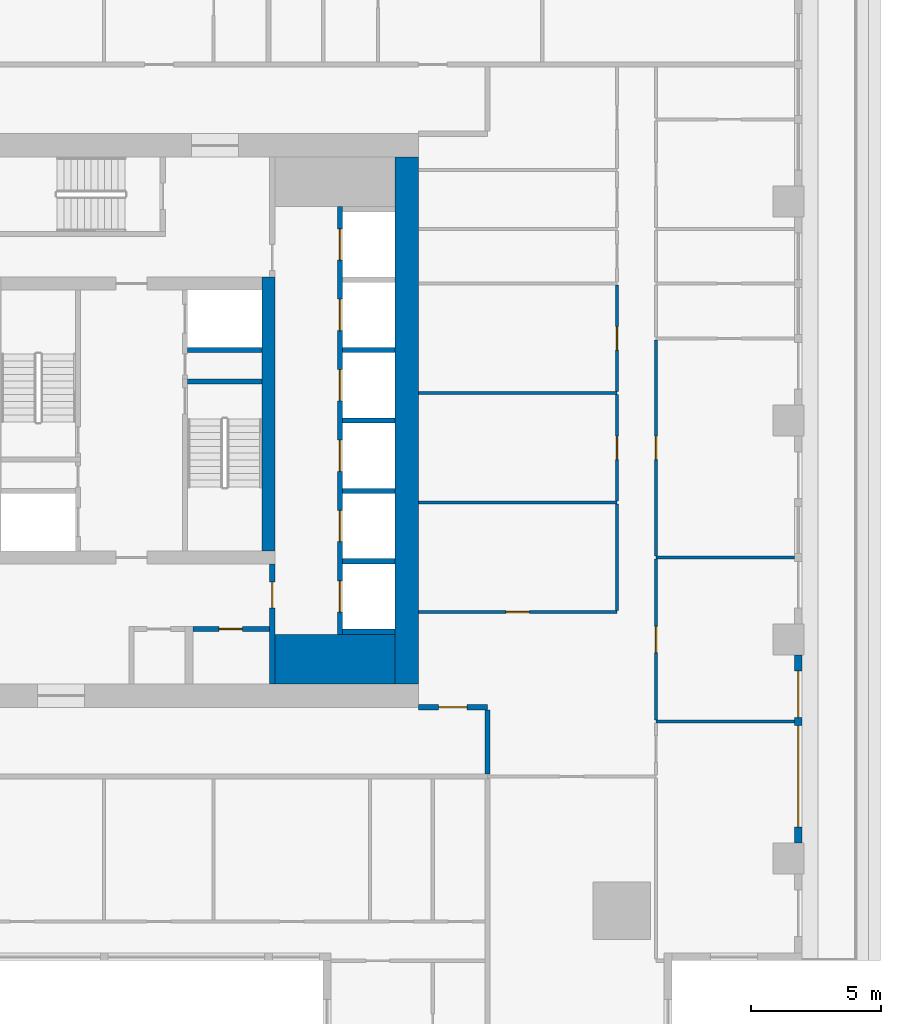
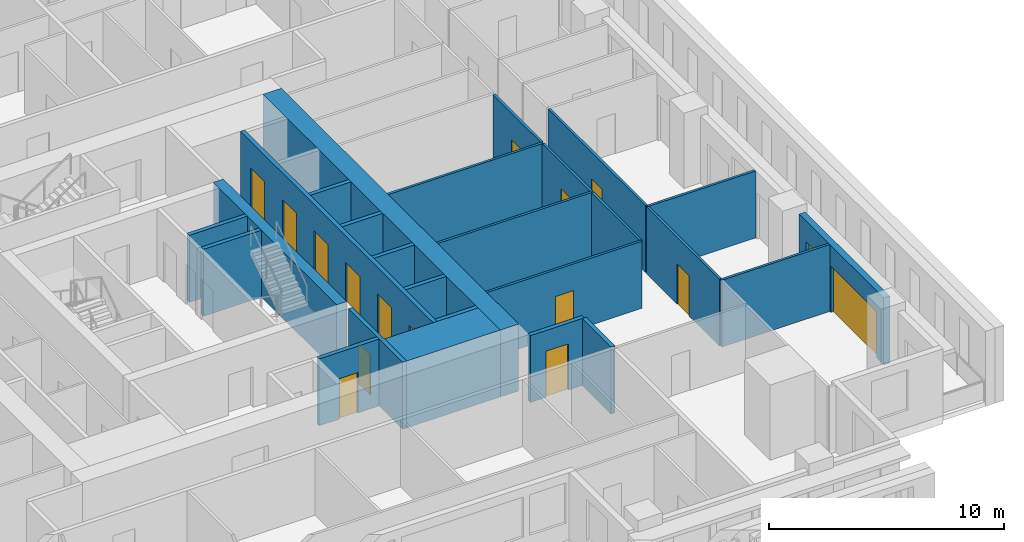
# One storey, part 5 of 15: 26 walls, 16 doors, 16 openings.
"""IFC4 building model written with IfcOpenShell, lengths in metres."""

from ifc_helpers import new_model, si_unit, direction, frame, frame_2d, origin, place, context, subcontext, project, spatial, rectangle, extrude, material, layer, layer_set, type_object, element, fill, save


model = new_model("IFC4")

# Units and contexts
model_context = context("Model", 3, precision=1e-05, world=origin(), true_north=direction((0.0, 1.0)))
body_context = subcontext(model_context, "Body", "Model", "MODEL_VIEW")
ifc_project = project(units=[si_unit("LENGTHUNIT", "METRE"), si_unit("AREAUNIT", "SQUARE_METRE"), si_unit("VOLUMEUNIT", "CUBIC_METRE"), si_unit("PLANEANGLEUNIT", "RADIAN"), si_unit("MASSUNIT", "GRAM", prefix="KILO")], contexts=[model_context])

# Site, building, storey
site_placement = place(None, origin())
site = spatial("IfcSite", under=ifc_project, at=site_placement, CompositionType="ELEMENT")
building_placement = place(site_placement, origin())
building = spatial("IfcBuilding", under=site, at=building_placement, Name="Khepri Terraces", CompositionType="ELEMENT")
storey_placement = place(building_placement, frame((0.0, 0.0, 260.10009765625)))
storey = spatial("IfcBuildingStorey", under=building, at=storey_placement, Name="L62", CompositionType="ELEMENT", Elevation=260.10009765625)

# Walls
ifc_material_1 = material(Name="Concrete C40/50", Category="concrete")
ifc_layer_1 = layer(ifc_material_1, 1.89990234375, Name="Concrete C40/50", Category="concrete")
ifc_layer_set_1 = layer_set([ifc_layer_1], Name="Concrete C40/50")
wall_type_1 = type_object("IfcWallType", Name="Core wall 1900 C40/50", PredefinedType="SHEAR", material=ifc_layer_set_1)
wall_1_placement = place(storey_placement, frame((5.5, -9.14990234375, 0.0), z_axis=(0.0, 0.0, 1.0), x_axis=(1.0, 0.0, 0.0)))
element("IfcWall", 1, at=wall_1_placement, inside=storey, type_object=wall_type_1, Name="Core wall PR02 L62", PredefinedType="SHEAR", context=body_context, shape_type="SweptSolid", body=[
    extrude(rectangle(XDim=4.60009765625, YDim=1.89990234375, at=frame_2d((2.300048828125, 0.0))), origin(), (0.0, 0.0, 1.0), 3.47998046875),
])
ifc_layer_2 = layer(ifc_material_1, 0.199951171875, Name="Concrete C40/50", Category="concrete")
ifc_layer_set_2 = layer_set([ifc_layer_2], Name="Concrete C40/50")
wall_type_2 = type_object("IfcWallType", Name="Core wall 200 C40/50", PredefinedType="SHEAR", material=ifc_layer_set_2)
wall_2_placement = place(storey_placement, frame((2.14990234375, 1.5, 0.0), z_axis=(0.0, 0.0, 1.0), x_axis=(1.0, 0.0, 0.0)))
element("IfcWall", 2, at=wall_2_placement, inside=storey, type_object=wall_type_2, Name="Core wall ST04 L62", PredefinedType="SHEAR", context=body_context, shape_type="SweptSolid", body=[
    extrude(rectangle(XDim=2.85009765625, YDim=0.199951171875, at=frame_2d((1.425048828125, 0.0))), origin(), (0.0, 0.0, 1.0), 3.47998046875),
])

# Wall, openings, doors
wall_3_placement = place(storey_placement, frame((8.0, -8.199951171875, 0.0), z_axis=(0.0, 0.0, 1.0), x_axis=(0.0, 1.0, 0.0)))
wall_3 = element("IfcWall", 3, at=wall_3_placement, inside=storey, type_object=wall_type_2, Name="Core wall SH02 L62", PredefinedType="SHEAR", context=body_context, shape_type="SweptSolid", body=[
    extrude(rectangle(XDim=16.39990234375, YDim=0.199951171875, at=frame_2d((8.199951171875, 0.0))), origin(), (0.0, 0.0, 1.0), 3.47998046875),
])
opening_1_placement = place(wall_3_placement, frame((0.85009765625, 0.0, 0.0)))
opening_1 = element("IfcOpeningElement", 4, at=opening_1_placement, cuts=wall_3, Name="Opening L62-C01", PredefinedType="OPENING", context=body_context, shape_type="SweptSolid", body=[
    extrude(rectangle(XDim=1.199951171875, YDim=2.10009765625, at=frame_2d((0.60009765625, 1.050048828125))), frame((0.0, 0.10986328125, 0.0), z_axis=(0.0, -1.0, 0.0), x_axis=(1.0, 0.0, 0.0)), (0.0, 0.0, 1.0), 0.219970703125),
])
opening_2_placement = place(wall_3_placement, frame((3.550048828125, 0.0, 0.0)))
opening_2 = element("IfcOpeningElement", 5, at=opening_2_placement, cuts=wall_3, Name="Opening L62-C02", PredefinedType="OPENING", context=body_context, shape_type="SweptSolid", body=[
    extrude(rectangle(XDim=1.199951171875, YDim=2.10009765625, at=frame_2d((0.60009765625, 1.050048828125))), frame((0.0, 0.10986328125, 0.0), z_axis=(0.0, -1.0, 0.0), x_axis=(1.0, 0.0, 0.0)), (0.0, 0.0, 1.0), 0.219970703125),
])
opening_3_placement = place(wall_3_placement, frame((6.25, 0.0, 0.0)))
opening_3 = element("IfcOpeningElement", 6, at=opening_3_placement, cuts=wall_3, Name="Opening L62-C03", PredefinedType="OPENING", context=body_context, shape_type="SweptSolid", body=[
    extrude(rectangle(XDim=1.199951171875, YDim=2.10009765625, at=frame_2d((0.60009765625, 1.050048828125))), frame((0.0, 0.10986328125, 0.0), z_axis=(0.0, -1.0, 0.0), x_axis=(1.0, 0.0, 0.0)), (0.0, 0.0, 1.0), 0.219970703125),
])
opening_4_placement = place(wall_3_placement, frame((8.949951171875, 0.0, 0.0)))
opening_4 = element("IfcOpeningElement", 7, at=opening_4_placement, cuts=wall_3, Name="Opening L62-C04", PredefinedType="OPENING", context=body_context, shape_type="SweptSolid", body=[
    extrude(rectangle(XDim=1.199951171875, YDim=2.10009765625, at=frame_2d((0.60009765625, 1.050048828125))), frame((0.0, 0.10986328125, 0.0), z_axis=(0.0, -1.0, 0.0), x_axis=(1.0, 0.0, 0.0)), (0.0, 0.0, 1.0), 0.219970703125),
])
opening_5_placement = place(wall_3_placement, frame((11.64990234375, 0.0, 0.0)))
opening_5 = element("IfcOpeningElement", 8, at=opening_5_placement, cuts=wall_3, Name="Opening L62-C05", PredefinedType="OPENING", context=body_context, shape_type="SweptSolid", body=[
    extrude(rectangle(XDim=1.199951171875, YDim=2.10009765625, at=frame_2d((0.60009765625, 1.050048828125))), frame((0.0, 0.10986328125, 0.0), z_axis=(0.0, -1.0, 0.0), x_axis=(1.0, 0.0, 0.0)), (0.0, 0.0, 1.0), 0.219970703125),
])
opening_6_placement = place(wall_3_placement, frame((14.35009765625, 0.0, 0.0)))
opening_6 = element("IfcOpeningElement", 9, at=opening_6_placement, cuts=wall_3, Name="Opening L62-C06", PredefinedType="OPENING", context=body_context, shape_type="SweptSolid", body=[
    extrude(rectangle(XDim=1.199951171875, YDim=2.10009765625, at=frame_2d((0.60009765625, 1.050048828125))), frame((0.0, 0.10986328125, 0.0), z_axis=(0.0, -1.0, 0.0), x_axis=(1.0, 0.0, 0.0)), (0.0, 0.0, 1.0), 0.219970703125),
])
ifc_material_2 = material(Name="Stainless steel 304", Category="steel")
door_type_1 = type_object("IfcDoorType", Name="DR-CORE-LANDING-1200", OperationType="NOTDEFINED", PredefinedType="DOOR", material=ifc_material_2)
door_1_placement = place(opening_1_placement, origin())
door_1 = element("IfcDoor", 10, at=door_1_placement, inside=storey, type_object=door_type_1, Name="Lift landing door L62-C01", OperationType="SLIDING_TO_LEFT", OverallHeight=2.10009765625, OverallWidth=1.199951171875, PredefinedType="DOOR", context=body_context, shape_type="SweptSolid", body=[
    extrude(rectangle(XDim=1.199951171875, YDim=2.10009765625, at=frame_2d((0.60009765625, 1.050048828125))), frame((0.0, 0.02490234375, 0.0), z_axis=(0.0, -1.0, 0.0), x_axis=(1.0, 0.0, 0.0)), (0.0, 0.0, 1.0), 0.050048828125),
])
fill(opening_1, door_1)
door_2_placement = place(opening_2_placement, origin())
door_2 = element("IfcDoor", 11, at=door_2_placement, inside=storey, type_object=door_type_1, Name="Lift landing door L62-C02", OperationType="SLIDING_TO_LEFT", OverallHeight=2.10009765625, OverallWidth=1.199951171875, PredefinedType="DOOR", context=body_context, shape_type="SweptSolid", body=[
    extrude(rectangle(XDim=1.199951171875, YDim=2.10009765625, at=frame_2d((0.60009765625, 1.050048828125))), frame((0.0, 0.02490234375, 0.0), z_axis=(0.0, -1.0, 0.0), x_axis=(1.0, 0.0, 0.0)), (0.0, 0.0, 1.0), 0.050048828125),
])
fill(opening_2, door_2)
door_3_placement = place(opening_3_placement, origin())
door_3 = element("IfcDoor", 12, at=door_3_placement, inside=storey, type_object=door_type_1, Name="Lift landing door L62-C03", OperationType="SLIDING_TO_LEFT", OverallHeight=2.10009765625, OverallWidth=1.199951171875, PredefinedType="DOOR", context=body_context, shape_type="SweptSolid", body=[
    extrude(rectangle(XDim=1.199951171875, YDim=2.10009765625, at=frame_2d((0.60009765625, 1.050048828125))), frame((0.0, 0.02490234375, 0.0), z_axis=(0.0, -1.0, 0.0), x_axis=(1.0, 0.0, 0.0)), (0.0, 0.0, 1.0), 0.050048828125),
])
fill(opening_3, door_3)
door_4_placement = place(opening_4_placement, origin())
door_4 = element("IfcDoor", 13, at=door_4_placement, inside=storey, type_object=door_type_1, Name="Lift landing door L62-C04", OperationType="SLIDING_TO_LEFT", OverallHeight=2.10009765625, OverallWidth=1.199951171875, PredefinedType="DOOR", context=body_context, shape_type="SweptSolid", body=[
    extrude(rectangle(XDim=1.199951171875, YDim=2.10009765625, at=frame_2d((0.60009765625, 1.050048828125))), frame((0.0, 0.02490234375, 0.0), z_axis=(0.0, -1.0, 0.0), x_axis=(1.0, 0.0, 0.0)), (0.0, 0.0, 1.0), 0.050048828125),
])
fill(opening_4, door_4)
door_5_placement = place(opening_5_placement, origin())
door_5 = element("IfcDoor", 14, at=door_5_placement, inside=storey, type_object=door_type_1, Name="Lift landing door L62-C05", OperationType="SLIDING_TO_LEFT", OverallHeight=2.10009765625, OverallWidth=1.199951171875, PredefinedType="DOOR", context=body_context, shape_type="SweptSolid", body=[
    extrude(rectangle(XDim=1.199951171875, YDim=2.10009765625, at=frame_2d((0.60009765625, 1.050048828125))), frame((0.0, 0.02490234375, 0.0), z_axis=(0.0, -1.0, 0.0), x_axis=(1.0, 0.0, 0.0)), (0.0, 0.0, 1.0), 0.050048828125),
])
fill(opening_5, door_5)
door_6_placement = place(opening_6_placement, origin())
door_6 = element("IfcDoor", 15, at=door_6_placement, inside=storey, type_object=door_type_1, Name="Lift landing door L62-C06", OperationType="SLIDING_TO_LEFT", OverallHeight=2.10009765625, OverallWidth=1.199951171875, PredefinedType="DOOR", context=body_context, shape_type="SweptSolid", body=[
    extrude(rectangle(XDim=1.199951171875, YDim=2.10009765625, at=frame_2d((0.60009765625, 1.050048828125))), frame((0.0, 0.02490234375, 0.0), z_axis=(0.0, -1.0, 0.0), x_axis=(1.0, 0.0, 0.0)), (0.0, 0.0, 1.0), 0.050048828125),
])
fill(opening_6, door_6)

# Walls
for number, where, z_axis, x_axis, name in (
    (16, (8.10009765625, -8.10009765625, 0.0), (0.0, 0.0, 1.0), (1.0, 0.0, 0.0), "Core wall SH03 L62"),
    (17, (8.10009765625, -5.39990234375, 0.0), (0.0, 0.0, 1.0), (1.0, 0.0, 0.0), "Core wall SH04 L62"),
    (18, (8.10009765625, -2.699951171875, 0.0), (0.0, 0.0, 1.0), (1.0, 0.0, 0.0), "Core wall SH08 L62"),
    (19, (8.10009765625, 0.0, 0.0), (0.0, 0.0, 1.0), (1.0, 0.0, 0.0), "Core wall SH09 L62"),
):
    element("IfcWall", number, at=place(storey_placement, frame(where, z_axis=z_axis, x_axis=x_axis)), inside=storey, type_object=wall_type_2, Name=name, PredefinedType="SHEAR", context=body_context, shape_type="SweptSolid", body=[
        extrude(rectangle(XDim=2.0, YDim=0.199951171875, at=frame_2d((1.0, 0.0))), origin(), (0.0, 0.0, 1.0), 3.47998046875),
    ])
wall_4_placement = place(storey_placement, frame((2.14990234375, 2.699951171875, 0.0), z_axis=(0.0, 0.0, 1.0), x_axis=(1.0, 0.0, 0.0)))
element("IfcWall", 20, at=wall_4_placement, inside=storey, type_object=wall_type_2, Name="Core wall SH12 L62", PredefinedType="SHEAR", context=body_context, shape_type="SweptSolid", body=[
    extrude(rectangle(XDim=2.85009765625, YDim=0.199951171875, at=frame_2d((1.425048828125, 0.0))), origin(), (0.0, 0.0, 1.0), 3.47998046875),
])
wall_5_placement = place(storey_placement, frame((8.10009765625, 2.699951171875, 0.0), z_axis=(0.0, 0.0, 1.0), x_axis=(1.0, 0.0, 0.0)))
element("IfcWall", 21, at=wall_5_placement, inside=storey, type_object=wall_type_2, Name="Core wall SH13 L62", PredefinedType="SHEAR", context=body_context, shape_type="SweptSolid", body=[
    extrude(rectangle(XDim=2.0, YDim=0.199951171875, at=frame_2d((1.0, 0.0))), origin(), (0.0, 0.0, 1.0), 3.47998046875),
])
ifc_layer_3 = layer(ifc_material_1, 0.5, Name="Concrete C40/50", Category="concrete")
ifc_layer_set_3 = layer_set([ifc_layer_3], Name="Concrete C40/50")
wall_type_3 = type_object("IfcWallType", Name="Core wall 500 C40/50", PredefinedType="SHEAR", material=ifc_layer_set_3)
wall_6_placement = place(storey_placement, frame((5.25, -5.0, 0.0), z_axis=(0.0, 0.0, 1.0), x_axis=(0.0, 1.0, 0.0)))
element("IfcWall", 22, at=wall_6_placement, inside=storey, type_object=wall_type_3, Name="Core wall BX03 L62", PredefinedType="SHEAR", context=body_context, shape_type="SweptSolid", body=[
    extrude(rectangle(XDim=10.5, YDim=0.5, at=frame_2d((5.25, 0.0))), origin(), (0.0, 0.0, 1.0), 3.47998046875),
])
ifc_layer_4 = layer(ifc_material_1, 0.89990234375, Name="Concrete C40/50", Category="concrete")
ifc_layer_set_4 = layer_set([ifc_layer_4], Name="Concrete C40/50")
wall_type_4 = type_object("IfcWallType", Name="Core wall 900 C40/50", PredefinedType="SHEAR", material=ifc_layer_set_4)
wall_7_placement = place(storey_placement, frame((10.550048828125, -10.10009765625, 0.0), z_axis=(0.0, 0.0, 1.0), x_axis=(0.0, 1.0, 0.0)))
element("IfcWall", 23, at=wall_7_placement, inside=storey, type_object=wall_type_4, Name="Core wall OW-E L62", PredefinedType="SHEAR", context=body_context, shape_type="SweptSolid", body=[
    extrude(rectangle(XDim=20.2001953125, YDim=0.89990234375, at=frame_2d((10.10009765625, 0.0))), origin(), (0.0, 0.0, 1.0), 3.47998046875),
])

# Wall, opening, door
ifc_material_3 = material(Name="Fire-rated gypsum board partition")
ifc_layer_5 = layer(ifc_material_3, 0.199951171875, Name="Fire-rated gypsum board partition")
ifc_layer_set_5 = layer_set([ifc_layer_5], Name="Fire-rated gypsum board partition")
wall_type_5 = type_object("IfcWallType", Name="WL-CORE-PART-200", PredefinedType="PARTITIONING", material=ifc_layer_set_5)
wall_8_placement = place(storey_placement, frame((5.39990234375, -10.10009765625, 0.0), z_axis=(0.0, 0.0, 1.0), x_axis=(0.0, 1.0, 0.0)))
wall_8 = element("IfcWall", 24, at=wall_8_placement, inside=storey, type_object=wall_type_5, Name="Core partition PT04 L62", PredefinedType="PARTITIONING", context=body_context, shape_type="SweptSolid", body=[
    extrude(rectangle(XDim=4.60009765625, YDim=0.199951171875, at=frame_2d((2.300048828125, 0.0))), origin(), (0.0, 0.0, 1.0), 3.47998046875),
])
opening_7_placement = place(wall_8_placement, frame((2.89990234375, 0.0, 0.0)))
opening_7 = element("IfcOpeningElement", 25, at=opening_7_placement, cuts=wall_8, Name="Opening L62-C19", PredefinedType="OPENING", context=body_context, shape_type="SweptSolid", body=[
    extrude(rectangle(XDim=1.0, YDim=2.10009765625, at=frame_2d((0.5, 1.050048828125))), frame((0.0, 0.10986328125, 0.0), z_axis=(0.0, -1.0, 0.0), x_axis=(1.0, 0.0, 0.0)), (0.0, 0.0, 1.0), 0.219970703125),
])
ifc_material_4 = material(Name="Painted steel", Category="steel")
door_type_2 = type_object("IfcDoorType", Name="DR-CORE-LOBBY-1000", OperationType="NOTDEFINED", PredefinedType="DOOR", material=ifc_material_4)
door_7_placement = place(opening_7_placement, origin())
door_7 = element("IfcDoor", 26, at=door_7_placement, inside=storey, type_object=door_type_2, Name="Lobby door L62-C19", OperationType="SINGLE_SWING_RIGHT", OverallHeight=2.10009765625, OverallWidth=1.0, PredefinedType="DOOR", context=body_context, shape_type="SweptSolid", body=[
    extrude(rectangle(XDim=1.0, YDim=2.10009765625, at=frame_2d((0.5, 1.050048828125))), frame((0.0, 0.02490234375, 0.0), z_axis=(0.0, -1.0, 0.0), x_axis=(1.0, 0.0, 0.0)), (0.0, 0.0, 1.0), 0.050048828125),
])
fill(opening_7, door_7)

wall_9_placement = place(storey_placement, frame((2.35009765625, -8.0, 0.0), z_axis=(0.0, 0.0, 1.0), x_axis=(1.0, 0.0, 0.0)))
wall_9 = element("IfcWall", 27, at=wall_9_placement, inside=storey, type_object=wall_type_5, Name="Core partition PT07 L62", PredefinedType="PARTITIONING", context=body_context, shape_type="SweptSolid", body=[
    extrude(rectangle(XDim=2.949951171875, YDim=0.199951171875, at=frame_2d((1.47509765625, 0.0))), origin(), (0.0, 0.0, 1.0), 3.47998046875),
])
opening_8_placement = place(wall_9_placement, frame((1.0, 0.0, 0.0)))
opening_8 = element("IfcOpeningElement", 28, at=opening_8_placement, cuts=wall_9, Name="Opening L62-C23", PredefinedType="OPENING", context=body_context, shape_type="SweptSolid", body=[
    extrude(rectangle(XDim=0.89990234375, YDim=2.10009765625, at=frame_2d((0.449951171875, 1.050048828125))), frame((0.0, 0.10986328125, 0.0), z_axis=(0.0, -1.0, 0.0), x_axis=(1.0, 0.0, 0.0)), (0.0, 0.0, 1.0), 0.219970703125),
])
door_type_3 = type_object("IfcDoorType", Name="DR-CORE-SERVICE-900", OperationType="NOTDEFINED", PredefinedType="DOOR", material=ifc_material_4)
door_8_placement = place(opening_8_placement, frame((0.89990234375, 0.0, 0.0), z_axis=(0.0, 0.0, 1.0), x_axis=(-1.0, 0.0, 0.0)))
door_8 = element("IfcDoor", 29, at=door_8_placement, inside=storey, type_object=door_type_3, Name="Service room door L62-C23", OperationType="SINGLE_SWING_RIGHT", OverallHeight=2.10009765625, OverallWidth=0.89990234375, PredefinedType="DOOR", context=body_context, shape_type="SweptSolid", body=[
    extrude(rectangle(XDim=0.89990234375, YDim=2.10009765625, at=frame_2d((0.449951171875, 1.050048828125))), frame((0.0, 0.02490234375, 0.0), z_axis=(0.0, -1.0, 0.0), x_axis=(1.0, 0.0, 0.0)), (0.0, 0.0, 1.0), 0.050048828125),
])
fill(opening_8, door_8)

# Wall
ifc_material_5 = material(Name="Fire-rated gypsum plasterboard partition, mineral wool")
ifc_layer_6 = layer(ifc_material_5, 0.199951171875, Name="Fire-rated gypsum plasterboard partition, mineral wool")
ifc_layer_set_6 = layer_set([ifc_layer_6], Name="Fire-rated gypsum plasterboard partition, mineral wool")
wall_type_6 = type_object("IfcWallType", Name="WL-CORR-200", PredefinedType="PARTITIONING", material=ifc_layer_set_6)
wall_10_placement = place(storey_placement, frame((13.64990234375, -13.550048828125, 0.0), z_axis=(0.0, 0.0, 1.0), x_axis=(0.0, 1.0, 0.0)))
element("IfcWall", 30, at=wall_10_placement, inside=storey, type_object=wall_type_6, Name="Partition P-021 L62", PredefinedType="PARTITIONING", context=body_context, shape_type="SweptSolid", body=[
    extrude(rectangle(XDim=2.449951171875, YDim=0.199951171875, at=frame_2d((1.22509765625, 0.0))), origin(), (0.0, 0.0, 1.0), 3.47998046875),
])

# Wall, opening, door
wall_11_placement = place(storey_placement, frame((11.0, -11.0, 0.0), z_axis=(0.0, 0.0, 1.0), x_axis=(1.0, 0.0, 0.0)))
wall_11 = element("IfcWall", 31, at=wall_11_placement, inside=storey, type_object=wall_type_6, Name="Partition P-027 L62", PredefinedType="PARTITIONING", context=body_context, shape_type="SweptSolid", body=[
    extrude(rectangle(XDim=2.64990234375, YDim=0.199951171875, at=frame_2d((1.324951171875, 0.0))), origin(), (0.0, 0.0, 1.0), 3.47998046875),
])
opening_9_placement = place(wall_11_placement, frame((0.77490234375, 0.0, 0.0)))
opening_9 = element("IfcOpeningElement", 32, at=opening_9_placement, cuts=wall_11, Name="Opening D1", PredefinedType="OPENING", context=body_context, shape_type="SweptSolid", body=[
    extrude(rectangle(XDim=1.10009765625, YDim=2.39990234375, at=frame_2d((0.550048828125, 1.199951171875))), frame((0.0, 0.10986328125, 0.0), z_axis=(0.0, -1.0, 0.0), x_axis=(1.0, 0.0, 0.0)), (0.0, 0.0, 1.0), 0.219970703125),
])
ifc_material_6 = material(Name="Solid-core timber door leaf, flat entrance door", Category="wood")
door_type_4 = type_object("IfcDoorType", Name="DR-ENT-1100", OperationType="NOTDEFINED", PredefinedType="DOOR", material=ifc_material_6)
door_9_placement = place(opening_9_placement, origin())
door_9 = element("IfcDoor", 33, at=door_9_placement, inside=storey, type_object=door_type_4, Name="Flat B1 entrance door", OperationType="SINGLE_SWING_LEFT", OverallHeight=2.39990234375, OverallWidth=1.10009765625, PredefinedType="DOOR", context=body_context, shape_type="SweptSolid", body=[
    extrude(rectangle(XDim=1.10009765625, YDim=2.39990234375, at=frame_2d((0.550048828125, 1.199951171875))), frame((0.0, 0.02490234375, 0.0), z_axis=(0.0, -1.0, 0.0), x_axis=(1.0, 0.0, 0.0)), (0.0, 0.0, 1.0), 0.050048828125),
])
fill(opening_9, door_9)

# Wall, openings, doors
ifc_material_7 = material(Name="Precast concrete C50/60 warm stone", Category="masonry")
ifc_layer_7 = layer(ifc_material_7, 0.300048828125, Name="Precast concrete C50/60 warm stone", Category="masonry")
ifc_layer_set_7 = layer_set([ifc_layer_7], Name="Precast concrete C50/60 warm stone")
wall_type_7 = type_object("IfcWallType", Name="WL-EXT-PRECAST-300", PredefinedType="STANDARD", material=ifc_layer_set_7)
wall_12_placement = place(storey_placement, frame((25.570068359375, -16.199951171875, 0.0), z_axis=(0.0, 0.0, 1.0), x_axis=(0.0, 1.0, 0.0)))
wall_12 = element("IfcWall", 34, at=wall_12_placement, inside=storey, type_object=wall_type_7, Name="External wall L62 E", PredefinedType="STANDARD", context=body_context, shape_type="SweptSolid", body=[
    extrude(rectangle(XDim=7.199951171875, YDim=0.300048828125, at=frame_2d((3.60009765625, 0.0))), origin(), (0.0, 0.0, 1.0), 3.47998046875),
])
opening_10_placement = place(wall_12_placement, frame((0.60009765625, 0.0, 0.0)))
opening_10 = element("IfcOpeningElement", 35, at=opening_10_placement, cuts=wall_12, Name="Opening ED-L62-02", PredefinedType="OPENING", context=body_context, shape_type="SweptSolid", body=[
    extrude(rectangle(XDim=3.89990234375, YDim=2.39990234375, at=frame_2d((1.949951171875, 1.199951171875))), frame((0.0, 0.16015625, 0.0), z_axis=(0.0, -1.0, 0.0), x_axis=(1.0, 0.0, 0.0)), (0.0, 0.0, 1.0), 0.320068359375),
])
opening_11_placement = place(wall_12_placement, frame((4.800048828125, 0.0, 0.0)))
opening_11 = element("IfcOpeningElement", 36, at=opening_11_placement, cuts=wall_12, Name="Opening ED-L62-03", PredefinedType="OPENING", context=body_context, shape_type="SweptSolid", body=[
    extrude(rectangle(XDim=1.800048828125, YDim=2.39990234375, at=frame_2d((0.89990234375, 1.199951171875))), frame((0.0, 0.16015625, 0.0), z_axis=(0.0, -1.0, 0.0), x_axis=(1.0, 0.0, 0.0)), (0.0, 0.0, 1.0), 0.320068359375),
])
ifc_material_8 = material(Name="Anodised aluminium bronze glazed door", Category="aluminium")
door_type_5 = type_object("IfcDoorType", Name="DR-BAL-SLIDE-1800x2400", OperationType="NOTDEFINED", PredefinedType="DOOR", material=ifc_material_8)
door_10_placement = place(opening_11_placement, origin())
door_10 = element("IfcDoor", 37, at=door_10_placement, inside=storey, type_object=door_type_5, Name="Balcony door L62 E", OperationType="SLIDING_TO_RIGHT", OverallHeight=2.39990234375, OverallWidth=1.800048828125, PredefinedType="DOOR", context=body_context, shape_type="SweptSolid", body=[
    extrude(rectangle(XDim=1.800048828125, YDim=2.39990234375, at=frame_2d((0.89990234375, 1.199951171875))), frame((0.0, 0.02490234375, 0.0), z_axis=(0.0, -1.0, 0.0), x_axis=(1.0, 0.0, 0.0)), (0.0, 0.0, 1.0), 0.050048828125),
])
fill(opening_11, door_10)
door_type_6 = type_object("IfcDoorType", Name="DR-BAL-SLIDE-3900x2400", OperationType="NOTDEFINED", PredefinedType="DOOR", material=ifc_material_8)
door_11_placement = place(opening_10_placement, origin())
door_11 = element("IfcDoor", 38, at=door_11_placement, inside=storey, type_object=door_type_6, Name="Balcony door L62 E", OperationType="SLIDING_TO_LEFT", OverallHeight=2.39990234375, OverallWidth=3.89990234375, PredefinedType="DOOR", context=body_context, shape_type="SweptSolid", body=[
    extrude(rectangle(XDim=3.89990234375, YDim=2.39990234375, at=frame_2d((1.949951171875, 1.199951171875))), frame((0.0, 0.02490234375, 0.0), z_axis=(0.0, -1.0, 0.0), x_axis=(1.0, 0.0, 0.0)), (0.0, 0.0, 1.0), 0.050048828125),
])
fill(opening_10, door_11)

# Wall
ifc_material_9 = material(Name="Gypsum plasterboard partition")
ifc_layer_8 = layer(ifc_material_9, 0.1201171875, Name="Gypsum plasterboard partition")
ifc_layer_set_8 = layer_set([ifc_layer_8], Name="Gypsum plasterboard partition")
wall_type_8 = type_object("IfcWallType", Name="WL-PART-120", PredefinedType="PARTITIONING", material=ifc_layer_set_8)
wall_13_placement = place(storey_placement, frame((20.1201171875, -11.550048828125, 0.0), z_axis=(0.0, 0.0, 1.0), x_axis=(1.0, 0.0, 0.0)))
element("IfcWall", 39, at=wall_13_placement, inside=storey, type_object=wall_type_8, Name="Partition P-023 L62", PredefinedType="PARTITIONING", context=body_context, shape_type="SweptSolid", body=[
    extrude(rectangle(XDim=5.2998046875, YDim=0.1201171875, at=frame_2d((2.64990234375, 0.0))), origin(), (0.0, 0.0, 1.0), 3.47998046875),
])

# Wall, opening, door
wall_14_placement = place(storey_placement, frame((20.1201171875, -11.489990234375, 0.0), z_axis=(0.0, 0.0, 1.0), x_axis=(0.0, 1.0, 0.0)))
wall_14 = element("IfcWall", 40, at=wall_14_placement, inside=storey, type_object=wall_type_8, Name="Partition P-025 L62", PredefinedType="PARTITIONING", context=body_context, shape_type="SweptSolid", body=[
    extrude(rectangle(XDim=6.179931640625, YDim=0.1201171875, at=frame_2d((3.08984375, 0.0))), origin(), (0.0, 0.0, 1.0), 3.47998046875),
])
opening_12_placement = place(wall_14_placement, frame((2.590087890625, 0.0, 0.0)))
opening_12 = element("IfcOpeningElement", 41, at=opening_12_placement, cuts=wall_14, Name="Opening D2", PredefinedType="OPENING", context=body_context, shape_type="SweptSolid", body=[
    extrude(rectangle(XDim=1.0, YDim=2.10009765625, at=frame_2d((0.5, 1.050048828125))), frame((0.0, 0.070068359375, 0.0), z_axis=(0.0, -1.0, 0.0), x_axis=(1.0, 0.0, 0.0)), (0.0, 0.0, 1.0), 0.14013671875),
])
ifc_material_10 = material(Name="Timber door leaf, living room door", Category="wood")
door_type_7 = type_object("IfcDoorType", Name="DR-INT-1000", OperationType="NOTDEFINED", PredefinedType="DOOR", material=ifc_material_10)
door_12_placement = place(opening_12_placement, frame((1.0, 0.0, 0.0), z_axis=(0.0, 0.0, 1.0), x_axis=(-1.0, 0.0, 0.0)))
door_12 = element("IfcDoor", 42, at=door_12_placement, inside=storey, type_object=door_type_7, Name="Door Family Room", OperationType="SINGLE_SWING_RIGHT", OverallHeight=2.10009765625, OverallWidth=1.0, PredefinedType="DOOR", context=body_context, shape_type="SweptSolid", body=[
    extrude(rectangle(XDim=1.0, YDim=2.10009765625, at=frame_2d((0.5, 1.050048828125))), frame((0.0, 0.02490234375, 0.0), z_axis=(0.0, -1.0, 0.0), x_axis=(1.0, 0.0, 0.0)), (0.0, 0.0, 1.0), 0.050048828125),
])
fill(opening_12, door_12)

wall_15_placement = place(storey_placement, frame((11.0, -7.35009765625, 0.0), z_axis=(0.0, 0.0, 1.0), x_axis=(1.0, 0.0, 0.0)))
wall_15 = element("IfcWall", 43, at=wall_15_placement, inside=storey, type_object=wall_type_8, Name="Partition P-031 L62", PredefinedType="PARTITIONING", context=body_context, shape_type="SweptSolid", body=[
    extrude(rectangle(XDim=7.6201171875, YDim=0.1201171875, at=frame_2d((3.81005859375, 0.0))), origin(), (0.0, 0.0, 1.0), 3.47998046875),
])
opening_13_placement = place(wall_15_placement, frame((3.360107421875, 0.0, 0.0)))
opening_13 = element("IfcOpeningElement", 44, at=opening_13_placement, cuts=wall_15, Name="Opening D3", PredefinedType="OPENING", context=body_context, shape_type="SweptSolid", body=[
    extrude(rectangle(XDim=0.89990234375, YDim=2.10009765625, at=frame_2d((0.449951171875, 1.050048828125))), frame((0.0, 0.070068359375, 0.0), z_axis=(0.0, -1.0, 0.0), x_axis=(1.0, 0.0, 0.0)), (0.0, 0.0, 1.0), 0.14013671875),
])
ifc_material_11 = material(Name="Timber door leaf", Category="wood")
door_type_8 = type_object("IfcDoorType", Name="DR-INT-900", OperationType="NOTDEFINED", PredefinedType="DOOR", material=ifc_material_11)
door_13_placement = place(opening_13_placement, origin())
door_13 = element("IfcDoor", 45, at=door_13_placement, inside=storey, type_object=door_type_8, Name="Door Kitchen", OperationType="SINGLE_SWING_RIGHT", OverallHeight=2.10009765625, OverallWidth=0.89990234375, PredefinedType="DOOR", context=body_context, shape_type="SweptSolid", body=[
    extrude(rectangle(XDim=0.89990234375, YDim=2.10009765625, at=frame_2d((0.449951171875, 1.050048828125))), frame((0.0, 0.02490234375, 0.0), z_axis=(0.0, -1.0, 0.0), x_axis=(1.0, 0.0, 0.0)), (0.0, 0.0, 1.0), 0.050048828125),
])
fill(opening_13, door_13)

# Walls
wall_16_placement = place(storey_placement, frame((18.6201171875, -7.2900390625, 0.0), z_axis=(0.0, 0.0, 1.0), x_axis=(0.0, 1.0, 0.0)))
element("IfcWall", 46, at=wall_16_placement, inside=storey, type_object=wall_type_8, Name="Partition P-033 L62", PredefinedType="PARTITIONING", context=body_context, shape_type="SweptSolid", body=[
    extrude(rectangle(XDim=4.080078125, YDim=0.1201171875, at=frame_2d((2.0400390625, 0.0))), origin(), (0.0, 0.0, 1.0), 3.47998046875),
])
wall_17_placement = place(storey_placement, frame((20.1201171875, -5.25, 0.0), z_axis=(0.0, 0.0, 1.0), x_axis=(1.0, 0.0, 0.0)))
element("IfcWall", 47, at=wall_17_placement, inside=storey, type_object=wall_type_8, Name="Partition P-037 L62", PredefinedType="PARTITIONING", context=body_context, shape_type="SweptSolid", body=[
    extrude(rectangle(XDim=5.2998046875, YDim=0.1201171875, at=frame_2d((2.64990234375, 0.0))), origin(), (0.0, 0.0, 1.0), 3.47998046875),
])

# Wall, opening, door
wall_18_placement = place(storey_placement, frame((20.1201171875, -5.18994140625, 0.0), z_axis=(0.0, 0.0, 1.0), x_axis=(0.0, 1.0, 0.0)))
wall_18 = element("IfcWall", 48, at=wall_18_placement, inside=storey, type_object=wall_type_8, Name="Partition P-039 L62", PredefinedType="PARTITIONING", context=body_context, shape_type="SweptSolid", body=[
    extrude(rectangle(XDim=8.280029296875, YDim=0.1201171875, at=frame_2d((4.14013671875, 0.0))), origin(), (0.0, 0.0, 1.0), 3.47998046875),
])
opening_14_placement = place(wall_18_placement, frame((3.68994140625, 0.0, 0.0)))
opening_14 = element("IfcOpeningElement", 49, at=opening_14_placement, cuts=wall_18, Name="Opening D3", PredefinedType="OPENING", context=body_context, shape_type="SweptSolid", body=[
    extrude(rectangle(XDim=0.89990234375, YDim=2.10009765625, at=frame_2d((0.449951171875, 1.050048828125))), frame((0.0, 0.070068359375, 0.0), z_axis=(0.0, -1.0, 0.0), x_axis=(1.0, 0.0, 0.0)), (0.0, 0.0, 1.0), 0.14013671875),
])
door_14_placement = place(opening_14_placement, frame((0.89990234375, 0.0, 0.0), z_axis=(0.0, 0.0, 1.0), x_axis=(-1.0, 0.0, 0.0)))
door_14 = element("IfcDoor", 50, at=door_14_placement, inside=storey, type_object=door_type_8, Name="Door Master Bedroom", OperationType="SINGLE_SWING_LEFT", OverallHeight=2.10009765625, OverallWidth=0.89990234375, PredefinedType="DOOR", context=body_context, shape_type="SweptSolid", body=[
    extrude(rectangle(XDim=0.89990234375, YDim=2.10009765625, at=frame_2d((0.449951171875, 1.050048828125))), frame((0.0, 0.02490234375, 0.0), z_axis=(0.0, -1.0, 0.0), x_axis=(1.0, 0.0, 0.0)), (0.0, 0.0, 1.0), 0.050048828125),
])
fill(opening_14, door_14)

# Wall
wall_19_placement = place(storey_placement, frame((11.0, -3.14990234375, 0.0), z_axis=(0.0, 0.0, 1.0), x_axis=(1.0, 0.0, 0.0)))
element("IfcWall", 51, at=wall_19_placement, inside=storey, type_object=wall_type_8, Name="Partition P-042 L62", PredefinedType="PARTITIONING", context=body_context, shape_type="SweptSolid", body=[
    extrude(rectangle(XDim=7.6201171875, YDim=0.1201171875, at=frame_2d((3.81005859375, 0.0))), origin(), (0.0, 0.0, 1.0), 3.47998046875),
])

# Wall, opening, door
wall_20_placement = place(storey_placement, frame((18.6201171875, -3.090087890625, 0.0), z_axis=(0.0, 0.0, 1.0), x_axis=(0.0, 1.0, 0.0)))
wall_20 = element("IfcWall", 52, at=wall_20_placement, inside=storey, type_object=wall_type_8, Name="Partition P-043 L62", PredefinedType="PARTITIONING", context=body_context, shape_type="SweptSolid", body=[
    extrude(rectangle(XDim=4.080078125, YDim=0.1201171875, at=frame_2d((2.0400390625, 0.0))), origin(), (0.0, 0.0, 1.0), 3.47998046875),
])
opening_15_placement = place(wall_20_placement, frame((1.590087890625, 0.0, 0.0)))
opening_15 = element("IfcOpeningElement", 53, at=opening_15_placement, cuts=wall_20, Name="Opening D3", PredefinedType="OPENING", context=body_context, shape_type="SweptSolid", body=[
    extrude(rectangle(XDim=0.89990234375, YDim=2.10009765625, at=frame_2d((0.449951171875, 1.050048828125))), frame((0.0, 0.070068359375, 0.0), z_axis=(0.0, -1.0, 0.0), x_axis=(1.0, 0.0, 0.0)), (0.0, 0.0, 1.0), 0.14013671875),
])
door_15_placement = place(opening_15_placement, origin())
door_15 = element("IfcDoor", 54, at=door_15_placement, inside=storey, type_object=door_type_8, Name="Door Service Kitchen", OperationType="SINGLE_SWING_RIGHT", OverallHeight=2.10009765625, OverallWidth=0.89990234375, PredefinedType="DOOR", context=body_context, shape_type="SweptSolid", body=[
    extrude(rectangle(XDim=0.89990234375, YDim=2.10009765625, at=frame_2d((0.449951171875, 1.050048828125))), frame((0.0, 0.02490234375, 0.0), z_axis=(0.0, -1.0, 0.0), x_axis=(1.0, 0.0, 0.0)), (0.0, 0.0, 1.0), 0.050048828125),
])
fill(opening_15, door_15)

# Wall
wall_21_placement = place(storey_placement, frame((11.0, 1.050048828125, 0.0), z_axis=(0.0, 0.0, 1.0), x_axis=(1.0, 0.0, 0.0)))
element("IfcWall", 55, at=wall_21_placement, inside=storey, type_object=wall_type_8, Name="Partition P-049 L62", PredefinedType="PARTITIONING", context=body_context, shape_type="SweptSolid", body=[
    extrude(rectangle(XDim=7.6201171875, YDim=0.1201171875, at=frame_2d((3.81005859375, 0.0))), origin(), (0.0, 0.0, 1.0), 3.47998046875),
])

# Wall, opening, door
wall_22_placement = place(storey_placement, frame((18.6201171875, 1.110107421875, 0.0), z_axis=(0.0, 0.0, 1.0), x_axis=(0.0, 1.0, 0.0)))
wall_22 = element("IfcWall", 56, at=wall_22_placement, inside=storey, type_object=wall_type_8, Name="Partition P-051 L62", PredefinedType="PARTITIONING", context=body_context, shape_type="SweptSolid", body=[
    extrude(rectangle(XDim=4.079833984375, YDim=0.1201171875, at=frame_2d((2.0400390625, 0.0))), origin(), (0.0, 0.0, 1.0), 3.47998046875),
])
opening_16_placement = place(wall_22_placement, frame((1.590087890625, 0.0, 0.0)))
opening_16 = element("IfcOpeningElement", 57, at=opening_16_placement, cuts=wall_22, Name="Opening D3", PredefinedType="OPENING", context=body_context, shape_type="SweptSolid", body=[
    extrude(rectangle(XDim=0.89990234375, YDim=2.10009765625, at=frame_2d((0.449951171875, 1.050048828125))), frame((0.0, 0.070068359375, 0.0), z_axis=(0.0, -1.0, 0.0), x_axis=(1.0, 0.0, 0.0)), (0.0, 0.0, 1.0), 0.14013671875),
])
door_16_placement = place(opening_16_placement, origin())
door_16 = element("IfcDoor", 58, at=door_16_placement, inside=storey, type_object=door_type_8, Name="Door Staff Bedroom", OperationType="SINGLE_SWING_RIGHT", OverallHeight=2.10009765625, OverallWidth=0.89990234375, PredefinedType="DOOR", context=body_context, shape_type="SweptSolid", body=[
    extrude(rectangle(XDim=0.89990234375, YDim=2.10009765625, at=frame_2d((0.449951171875, 1.050048828125))), frame((0.0, 0.02490234375, 0.0), z_axis=(0.0, -1.0, 0.0), x_axis=(1.0, 0.0, 0.0)), (0.0, 0.0, 1.0), 0.050048828125),
])
fill(opening_16, door_16)

save(model, "model.ifc")
